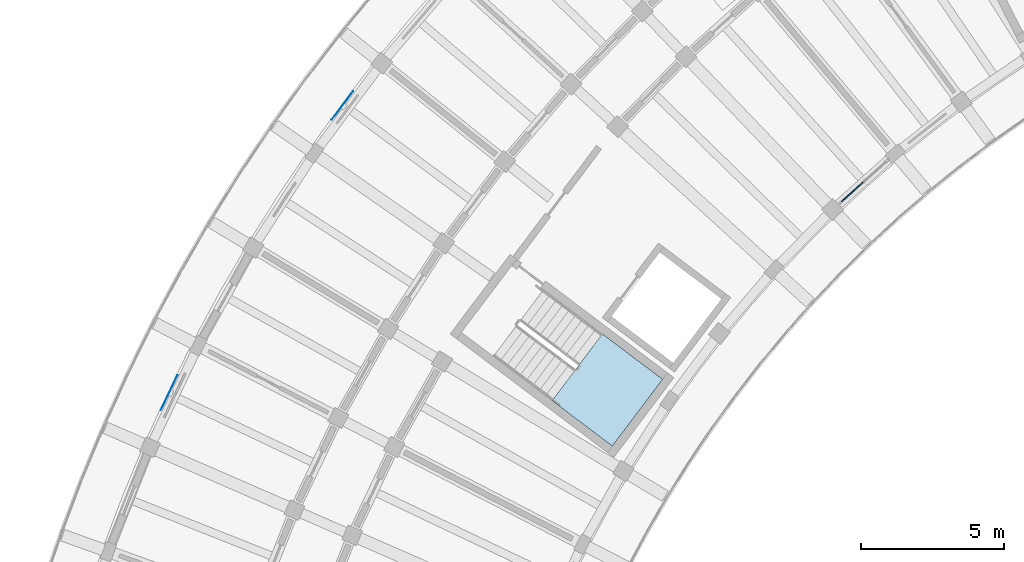
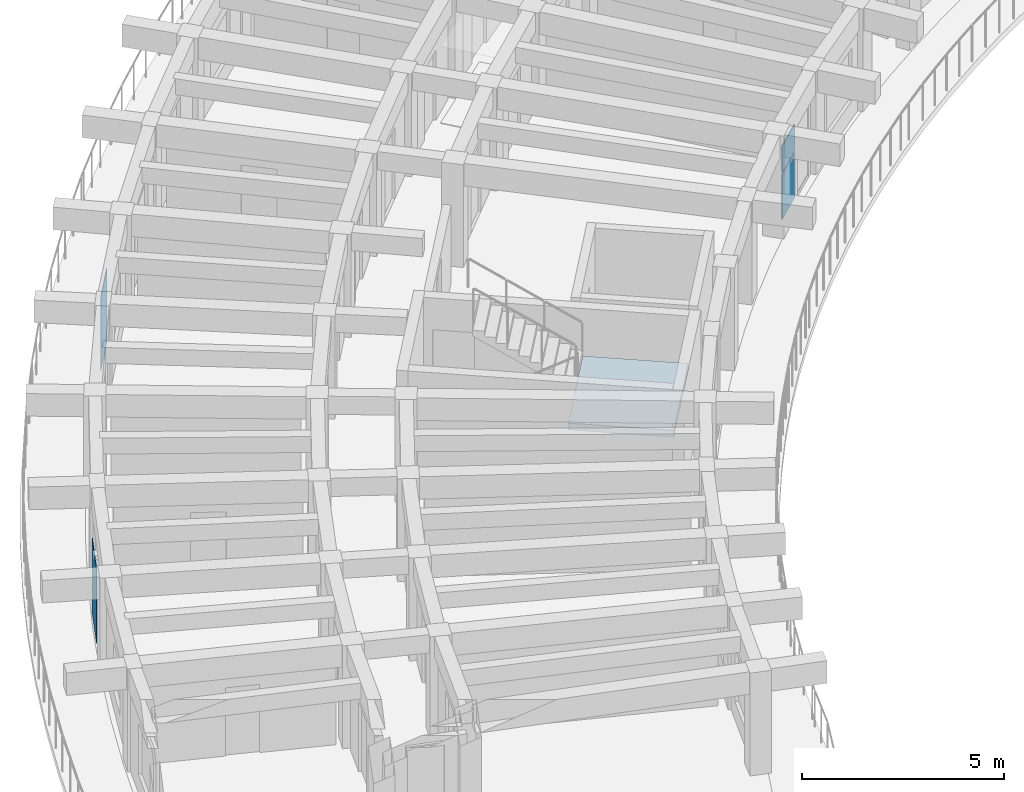
# One storey, part 26 of 81: 4 plates, 1 slab, 2 elements without a shape of their own.
"""IFC4 building model written with IfcOpenShell, lengths in metres."""

from ifc_helpers import new_model, si_unit, direction, frame, origin, origin_2d, place, context, subcontext, project, spatial, polyline, rectangle, outline, extrude, material, layer, layer_set, type_object, element, aggregate, save


model = new_model("IFC4")

# Units and contexts
model_context = context("Model", 3, precision=1e-05, world=origin(), true_north=direction((0.0, 1.0)))
body_context = subcontext(model_context, "Body", "Model", "MODEL_VIEW")
ifc_project = project(units=[si_unit("LENGTHUNIT", "METRE"), si_unit("AREAUNIT", "SQUARE_METRE"), si_unit("VOLUMEUNIT", "CUBIC_METRE"), si_unit("PLANEANGLEUNIT", "RADIAN"), si_unit("MASSUNIT", "GRAM", prefix="KILO")], contexts=[model_context])

# Site, building, storey
site_placement = place(None, origin())
site = spatial("IfcSite", under=ifc_project, at=site_placement, CompositionType="ELEMENT")
building_placement = place(site_placement, origin())
building = spatial("IfcBuilding", under=site, at=building_placement, Name="Tanwirah Colonnade Gardens", CompositionType="ELEMENT")
storey_placement = place(building_placement, frame((0.0, 0.0, 8.840087890625)))
storey = spatial("IfcBuildingStorey", under=building, at=storey_placement, Name="L02", CompositionType="ELEMENT", Elevation=8.840087890625)

# Curtain wall, plates
ifc_material_1 = material(Name="Bronze-anodised aluminium and solar-control low-E glass", Category="aluminium")
curtain_wall_type = type_object("IfcCurtainWallType", Name="CW-GDN", PredefinedType="NOTDEFINED", material=ifc_material_1)
curtain_wall_placement = place(storey_placement, origin())
curtain_wall = element("IfcCurtainWall", 1, at=curtain_wall_placement, inside=storey, type_object=curtain_wall_type, Name="Curtain Wall CW-A-L02-IN-09", PredefinedType="NOTDEFINED")
ifc_material_2 = material(Name="Acoustic solar-control low-E double glazing", Category="glass")
ifc_layer_1 = layer(ifc_material_2, 0.031982421875)
ifc_layer_set_1 = layer_set([ifc_layer_1], Name="Acoustic solar-control low-E double glazing")
plate_type_1 = type_object("IfcPlateType", Name="CWP-GLZ32", PredefinedType="CURTAIN_PANEL", material=ifc_layer_set_1)
plate_1_placement = place(storey_placement, frame((34.93896484375, 92.915283203125, 0.070068359375), z_axis=(0.0, 0.0, 1.0), x_axis=(-0.744440162253, -0.667689182798, 0.0)))
plate_1 = element("IfcPlate", 2, at=plate_1_placement, type_object=plate_type_1, Name="CW-GDN panel 2.1", PredefinedType="CURTAIN_PANEL", context=body_context, shape_type="SweptSolid", body=[
    extrude(rectangle(XDim=1.000244140625, YDim=0.031982421875, at=origin_2d()), origin(), (0.0, 0.0, 1.0), 1.35498046875),
])
plate_2_placement = place(storey_placement, frame((34.93896484375, 92.915283203125, 1.4951171875), z_axis=(0.0, 0.0, 1.0), x_axis=(-0.744440162253, -0.667689182798, 0.0)))
plate_2 = element("IfcPlate", 3, at=plate_2_placement, type_object=plate_type_1, Name="CW-GDN panel 2.2", PredefinedType="CURTAIN_PANEL", context=body_context, shape_type="SweptSolid", body=[
    extrude(rectangle(XDim=1.000244140625, YDim=0.031982421875, at=origin_2d()), origin(), (0.0, 0.0, 1.0), 0.789794921875),
])
aggregate(curtain_wall, [plate_1, plate_2])

# Plates
ifc_material_3 = material(Name="Laser-cut bronze aluminium solar screen plate", Category="aluminium")
ifc_layer_2 = layer(ifc_material_3, 0.01611328125)
ifc_layer_set_2 = layer_set([ifc_layer_2], Name="Laser-cut bronze aluminium solar screen plate")
plate_type_2 = type_object("IfcPlateType", Name="PLT-SCR16", PredefinedType="SHEET", material=ifc_layer_set_2)
plate_3_placement = place(storey_placement, frame((17.12890625, 95.93017578125, 0.0), z_axis=(0.0, 0.0, 1.0), x_axis=(-0.598713571255, -0.800963207392, 0.0)))
element("IfcPlate", 4, at=plate_3_placement, inside=storey, type_object=plate_type_2, Name="Perforated solar screen plate A-L02-12", PredefinedType="SHEET", context=body_context, shape_type="SweptSolid", body=[
    extrude(rectangle(XDim=1.25, YDim=0.01611328125, at=origin_2d()), origin(), (0.0, 0.0, 1.0), 2.25),
])
plate_4_placement = place(storey_placement, frame((11.077392578125, 85.90283203125, 0.0), z_axis=(0.0, 0.0, 1.0), x_axis=(-0.429636092721, -0.903002119506, 0.0)))
element("IfcPlate", 5, at=plate_4_placement, inside=storey, type_object=plate_type_2, Name="Perforated solar screen plate A-L02-15", PredefinedType="SHEET", context=body_context, shape_type="SweptSolid", body=[
    extrude(rectangle(XDim=1.35009765625, YDim=0.01611328125, at=origin_2d()), origin(), (0.0, 0.0, 1.0), 2.25),
])

# Stair, slab
ifc_material_4 = material(Name="Precast concrete C40/50", Category="concrete")
stair_type = type_object("IfcStairType", Name="ST-RES168", PredefinedType="HALF_TURN_STAIR", material=ifc_material_4)
stair_placement = place(storey_placement, origin())
stair = element("IfcStair", 6, at=stair_placement, inside=storey, type_object=stair_type, Name="L02 Block A Core 2 Exit Stair", PredefinedType="HALF_TURN_STAIR")
ifc_layer_3 = layer(ifc_material_4, 0.205078125)
ifc_layer_set_3 = layer_set([ifc_layer_3], Name="Precast concrete C40/50")
slab_type = type_object("IfcSlabType", Name="SL-LND-205", PredefinedType="LANDING", material=ifc_layer_set_3)
slab_placement = place(storey_placement, frame((0.0, 0.0, 1.474853515625)))
slab = element("IfcSlab", 7, at=slab_placement, type_object=slab_type, Name="ST-A2 landing 1", PredefinedType="LANDING", context=body_context, shape_type="SweptSolid", body=[
    extrude(outline(polyline([(24.44970703125, 85.623046875), (26.553955078125, 84.037353515625), (28.311279296875, 86.369384765625), (26.20703125, 87.955078125), (24.44970703125, 85.623046875)])), origin(), (0.0, 0.0, 1.0), 0.205078125),
])
aggregate(stair, [slab])

save(model, "model.ifc")
